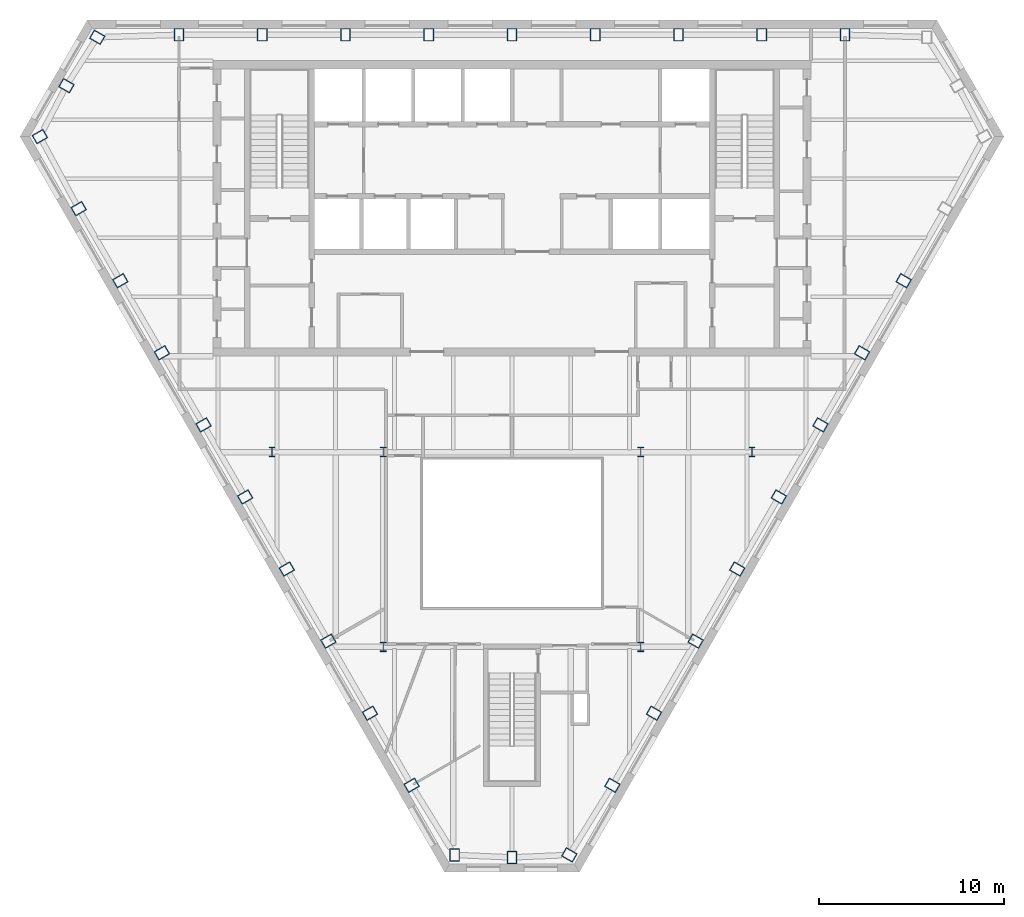
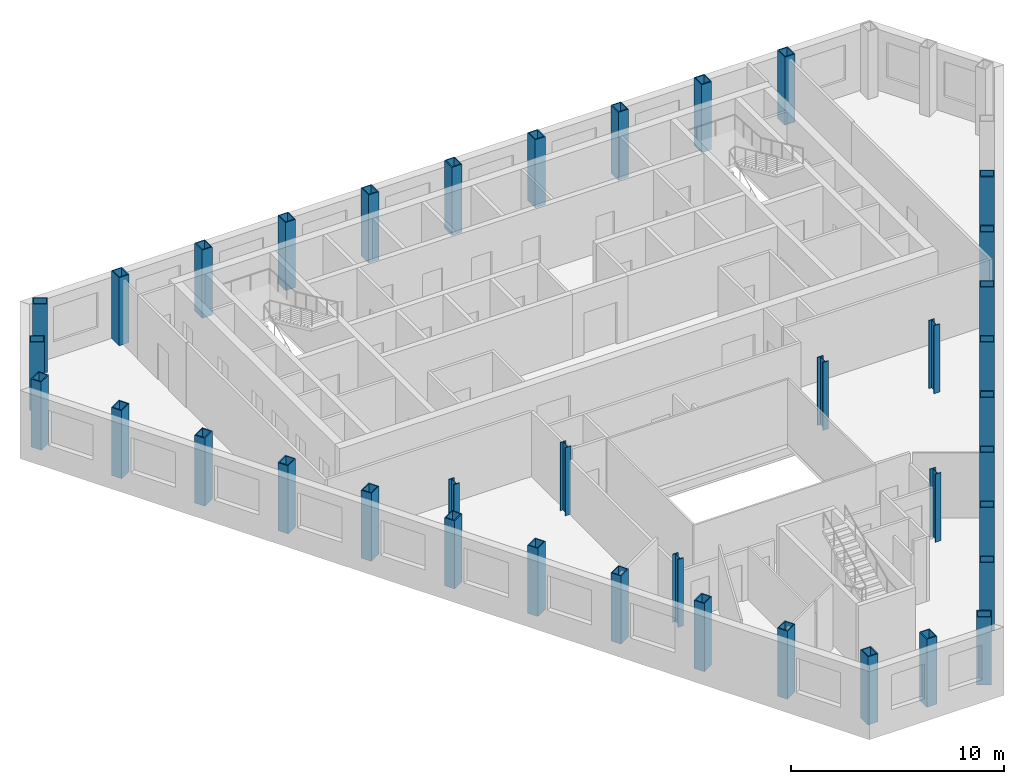
# One storey, part 1 of 11: 38 columns.
"""IFC4 building model written with IfcOpenShell, lengths in metres."""

import ifcopenshell
import ifcopenshell.guid

model = None  # the IFC model being written
_history = None  # IfcOwnerHistory: only IFC2X3 demands one
_inside = {}  # id of a spatial element -> (the spatial element, [elements in it])
_under = {}  # id of a project, library or spatial element -> (it, [spatial elements below it])
_declared = {}  # id of a project -> (the project, [libraries it declares])
_typed = {}  # id of a type object -> (the type object, [elements of that type])
_made_of = {}  # id of a material, layer set ... -> (it, [elements and type objects made of it])


def new_model(schema):
    """Start an empty IFC model of exactly this schema.

    Asked for "IFC4X3", IfcOpenShell would pick the latest addendum, in which some entities
    have other attributes; the version numbers below select the first issue.
    IFC2X3 requires an IfcOwnerHistory on every rooted entity: one is made here for all.
    """
    global model, _history
    if schema == "IFC4X3":
        model = ifcopenshell.file(schema_version=(4, 3, 0, 0))
    else:
        model = ifcopenshell.file(schema=schema)
    _inside.clear()
    _under.clear()
    _declared.clear()
    _typed.clear()
    _made_of.clear()
    _history = None
    if model.schema == "IFC2X3":
        org = make("IfcOrganization", Name="unknown")
        user = make(
            "IfcPersonAndOrganization",
            ThePerson=make("IfcPerson", FamilyName="unknown"),
            TheOrganization=org,
        )
        app = make(
            "IfcApplication",
            ApplicationDeveloper=org,
            Version="unknown",
            ApplicationFullName="unknown",
            ApplicationIdentifier="unknown",
        )
        _history = make(
            "IfcOwnerHistory",
            OwningUser=user,
            OwningApplication=app,
            ChangeAction="ADDED",
            CreationDate=0,
        )
    return model


def make(cls, **values):
    """One entity of the class cls with the attributes given. An attribute that is None is left unset."""
    return model.create_entity(
        cls, **{name: value for name, value in values.items() if value is not None}
    )


def rooted(cls, **values):
    """An entity with a GlobalId (a new one), such as an element, a storey or a relation."""
    return make(cls, GlobalId=ifcopenshell.guid.new(), OwnerHistory=_history, **values)


def si_unit(unit_type, name, prefix=None):
    """IfcSIUnit, for example si_unit("LENGTHUNIT", "METRE", prefix="MILLI")."""
    return make("IfcSIUnit", UnitType=unit_type, Prefix=prefix, Name=name)


def assignment(units):
    """IfcUnitAssignment: the units of a project."""
    return None if units is None else make("IfcUnitAssignment", Units=units)


def point(xyz):
    """IfcCartesianPoint."""
    return None if xyz is None else make("IfcCartesianPoint", Coordinates=xyz)


def direction(xyz):
    """IfcDirection."""
    return None if xyz is None else make("IfcDirection", DirectionRatios=xyz)


def frame(location, z_axis=None, x_axis=None):
    """IfcAxis2Placement3D, a coordinate frame: its origin and axes. An axis left out is left unset."""
    return make(
        "IfcAxis2Placement3D",
        Location=point(location),
        Axis=direction(z_axis),
        RefDirection=direction(x_axis),
    )


def frame_2d(location, x_axis=None):
    """IfcAxis2Placement2D, a coordinate frame in the plane: its origin and x axis."""
    return make(
        "IfcAxis2Placement2D", Location=point(location), RefDirection=direction(x_axis)
    )


def origin():
    """The frame at (0, 0, 0) with its axes left unset."""
    return frame((0.0, 0.0, 0.0))


def origin_2d():
    """The frame at (0, 0) in the plane with its x axis left unset."""
    return frame_2d((0.0, 0.0))


def place(relative_to, where):
    """IfcLocalPlacement: puts the frame where relative to a parent placement (None: the world)."""
    return make(
        "IfcLocalPlacement", PlacementRelTo=relative_to, RelativePlacement=where
    )


def context(
    kind, dimensions, precision=None, world=None, true_north=None, identifier=None
):
    """IfcGeometricRepresentationContext, for example the 3D "Model" context."""
    return make(
        "IfcGeometricRepresentationContext",
        ContextIdentifier=identifier,
        ContextType=kind,
        CoordinateSpaceDimension=dimensions,
        Precision=precision,
        WorldCoordinateSystem=world,
        TrueNorth=true_north,
    )


def subcontext(parent, identifier, kind, view, scale=None):
    """IfcGeometricRepresentationSubContext, for example "Body" below "Model"."""
    return make(
        "IfcGeometricRepresentationSubContext",
        ContextIdentifier=identifier,
        ContextType=kind,
        ParentContext=parent,
        TargetScale=scale,
        TargetView=view,
    )


def project(units=None, contexts=None):
    """IfcProject with its units and contexts."""
    return rooted(
        "IfcProject",
        Name="project",
        RepresentationContexts=contexts,
        UnitsInContext=assignment(units),
    )


def spatial(cls, under=None, at=None, **own):
    """A site, building, storey or space (cls), placed at a placement, below another one or the project."""
    s = rooted(cls, ObjectPlacement=at, **own)
    if under is not None:
        _under.setdefault(under.id(), (under, []))[1].append(s)
    return s


def profile(cls, at=None, kind="AREA", **sizes):
    """A parametric profile (cls). Its sizes go by their IFC names, for example OverallWidth=200.0."""
    return make(cls, ProfileType=kind, Position=at, **sizes)


def hollow_rectangle(**sizes):
    """IfcRectangleHollowProfileDef."""
    return profile("IfcRectangleHollowProfileDef", **sizes)


def i_section(**sizes):
    """IfcIShapeProfileDef."""
    return profile("IfcIShapeProfileDef", **sizes)


def extrude(swept, where, along, depth):
    """IfcExtrudedAreaSolid: the profile swept, set in the frame where, extruded along a direction by depth."""
    return make(
        "IfcExtrudedAreaSolid",
        SweptArea=swept,
        Position=where,
        ExtrudedDirection=direction(along),
        Depth=depth,
    )


def shape(context_of_items, identifier, shape_type, items):
    """IfcShapeRepresentation: the items that make up one representation, for example the "Body"."""
    return make(
        "IfcShapeRepresentation",
        ContextOfItems=context_of_items,
        RepresentationIdentifier=identifier,
        RepresentationType=shape_type,
        Items=items,
    )


def material(Name=None, Category=None):
    """IfcMaterial."""
    return make("IfcMaterial", Name=Name, Category=Category)


def material_profile(
    of_material, cross_section, Name=None, Category=None, Priority=None
):
    """IfcMaterialProfile: a cross section and its material."""
    return make(
        "IfcMaterialProfile",
        Name=Name,
        Material=of_material,
        Profile=cross_section,
        Priority=Priority,
        Category=Category,
    )


def profile_set(profiles, Name=None, composite=None):
    """IfcMaterialProfileSet."""
    return make(
        "IfcMaterialProfileSet",
        Name=Name,
        MaterialProfiles=profiles,
        CompositeProfile=composite,
    )


def made_of(thing, what):
    """Note that an element or type object is made of a material, layer set ...; save() writes the relation."""
    if what is not None:
        _made_of.setdefault(what.id(), (what, []))[1].append(thing)
    return thing


def type_object(cls, material=None, **own):
    """A type object (cls), such as IfcWallType, which elements share."""
    return made_of(rooted(cls, **own), material)


def element(
    cls,
    number,
    at=None,
    inside=None,
    cuts=None,
    type_object=None,
    material=None,
    context=None,
    identifier="Body",
    shape_type=None,
    held_by="IfcProductDefinitionShape",
    body=None,
    shapes=None,
    **own,
):
    """One element of the class cls, such as IfcWall. Its Tag is "e" and its number.

    at: its placement. inside: the storey or other place that contains it. cuts: it is an
    opening in that element (IfcRelVoidsElement). A single representation is given by context,
    identifier, shape_type and body (its items); several are given by shapes. held_by: the class
    of the entity that holds the representations. save() writes the other relations.
    """
    e = rooted(cls, Tag="e%d" % number, ObjectPlacement=at, **own)
    if body is not None:
        shapes = [shape(context, identifier, shape_type, body)]
    if shapes is not None:
        e.Representation = make(held_by, Representations=shapes)
    if inside is not None:
        _inside.setdefault(inside.id(), (inside, []))[1].append(e)
    if cuts is not None:
        rooted(
            "IfcRelVoidsElement", RelatingBuildingElement=cuts, RelatedOpeningElement=e
        )
    if type_object is not None:
        _typed.setdefault(type_object.id(), (type_object, []))[1].append(e)
    return made_of(e, material)


def aggregate(whole, parts):
    """IfcRelAggregates: a whole, such as a stair, and the parts it consists of."""
    return rooted("IfcRelAggregates", RelatingObject=whole, RelatedObjects=parts)


def save(model, path):
    """Write the relations noted so far, then the file.

    IfcRelAggregates (storeys below a building ...), IfcRelContainedInSpatialStructure (elements
    in a storey), IfcRelDefinesByType, IfcRelAssociatesMaterial and IfcRelDeclares: one each for
    every whole, place, type object, material and project.
    """
    for whole, parts in _under.values():
        aggregate(whole, parts)
    for where, things in _inside.values():
        rooted(
            "IfcRelContainedInSpatialStructure",
            RelatedElements=things,
            RelatingStructure=where,
        )
    for kind, things in _typed.values():
        rooted("IfcRelDefinesByType", RelatedObjects=things, RelatingType=kind)
    for what, things in _made_of.values():
        rooted("IfcRelAssociatesMaterial", RelatedObjects=things, RelatingMaterial=what)
    for by, libraries in _declared.values():
        rooted("IfcRelDeclares", RelatingContext=by, RelatedDefinitions=libraries)
    model.write(path)


model = new_model("IFC4")

# Units and contexts
model_context = context("Model", 3, precision=1e-05, world=origin(), true_north=direction((0.0, 1.0)))
body_context = subcontext(model_context, "Body", "Model", "MODEL_VIEW")
ifc_project = project(units=[si_unit("LENGTHUNIT", "METRE"), si_unit("AREAUNIT", "SQUARE_METRE"), si_unit("VOLUMEUNIT", "CUBIC_METRE"), si_unit("PLANEANGLEUNIT", "RADIAN"), si_unit("MASSUNIT", "GRAM", prefix="KILO")], contexts=[model_context])

# Site, building, storey
site_placement = place(None, origin())
site = spatial("IfcSite", under=ifc_project, at=site_placement, CompositionType="ELEMENT")
building_placement = place(site_placement, origin())
building = spatial("IfcBuilding", under=site, at=building_placement, Name="Njiva Tower", CompositionType="ELEMENT")
storey_placement = place(building_placement, frame((0.0, 0.0, 208.2)))
storey = spatial("IfcBuildingStorey", under=building, at=storey_placement, Name="L46", CompositionType="ELEMENT", Elevation=208.2)

# Columns
ifc_material = material(Name="Steel S355 J2", Category="steel")
ifc_material_profile_1 = material_profile(ifc_material, hollow_rectangle(XDim=0.55, YDim=0.7, WallThickness=0.05, at=origin_2d()), Name="BOX 700x550x50")
ifc_profile_set_1 = profile_set([ifc_material_profile_1], Name="Steel S355 J2")
column_type_1 = type_object("IfcColumnType", Name="C11 Perimeter tube column BOX 700x550x50", PredefinedType="COLUMN", material=ifc_profile_set_1)
for number, where, z_axis, x_axis, name in (
    (1, (18.03, 19.4, 0.0), (0.0, 0.0, 1.0), (-1.0, 0.0, 0.0), "Perimeter tube column S15-C02"),
    (2, (13.523, 19.4, 0.0), (0.0, 0.0, 1.0), (-1.0, 0.0, 0.0), "Perimeter tube column S15-C03"),
    (3, (9.015, 19.4, 0.0), (0.0, 0.0, 1.0), (-1.0, 0.0, 0.0), "Perimeter tube column S15-C04"),
    (4, (4.508, 19.4, 0.0), (0.0, 0.0, 1.0), (-1.0, 0.0, 0.0), "Perimeter tube column S15-C05"),
    (5, (0.0, 19.4, 0.0), (0.0, 0.0, 1.0), (-1.0, 0.0, 0.0), "Perimeter tube column S15-C06"),
    (6, (-4.508, 19.4, 0.0), (0.0, 0.0, 1.0), (-1.0, 0.0, 0.0), "Perimeter tube column S15-C07"),
    (7, (-9.015, 19.4, 0.0), (0.0, 0.0, 1.0), (-1.0, 0.0, 0.0), "Perimeter tube column S15-C08"),
    (8, (-13.523, 19.4, 0.0), (0.0, 0.0, 1.0), (-1.0, 0.0, 0.0), "Perimeter tube column S15-C09"),
    (9, (-18.03, 19.4, 0.0), (0.0, 0.0, 1.0), (-1.0, 0.0, 0.0), "Perimeter tube column S15-C10"),
    (10, (-22.461, 19.267, 0.0), (0.0, 0.0, 1.0), (-0.5, -0.866025403784, 0.0), "Perimeter tube column S15-C11"),
    (11, (-24.13, 16.643, 0.0), (0.0, 0.0, 1.0), (-0.5, -0.866025403784, 0.0), "Perimeter tube column S15-C12"),
    (12, (-25.568, 13.887, 0.0), (0.0, 0.0, 1.0), (0.5, -0.866025403784, 0.0), "Perimeter tube column S15-C13"),
    (13, (-23.467, 9.983, 0.0), (0.0, 0.0, 1.0), (0.5, -0.866025403784, 0.0), "Perimeter tube column S15-C14"),
    (14, (-21.214, 6.079, 0.0), (0.0, 0.0, 1.0), (0.5, -0.866025403784, 0.0), "Perimeter tube column S15-C15"),
    (15, (-18.96, 2.176, 0.0), (0.0, 0.0, 1.0), (0.5, -0.866025403784, 0.0), "Perimeter tube column S15-C16"),
    (16, (-16.706, -1.728, 0.0), (0.0, 0.0, 1.0), (0.5, -0.866025403784, 0.0), "Perimeter tube column S15-C17"),
    (17, (-14.452, -5.632, 0.0), (0.0, 0.0, 1.0), (0.5, -0.866025403784, 0.0), "Perimeter tube column S15-C18"),
    (18, (-12.198, -9.536, 0.0), (0.0, 0.0, 1.0), (0.5, -0.866025403784, 0.0), "Perimeter tube column S15-C19"),
    (19, (-9.945, -13.439, 0.0), (0.0, 0.0, 1.0), (0.5, -0.866025403784, 0.0), "Perimeter tube column S15-C20"),
    (20, (-7.691, -17.343, 0.0), (0.0, 0.0, 1.0), (0.5, -0.866025403784, 0.0), "Perimeter tube column S15-C21"),
    (21, (-5.437, -21.247, 0.0), (0.0, 0.0, 1.0), (0.5, -0.866025403784, 0.0), "Perimeter tube column S15-C22"),
    (22, (-3.106, -25.017, 0.0), (0.0, 0.0, 1.0), (1.0, 0.0, 0.0), "Perimeter tube column S15-C23"),
    (23, (0.0, -25.15, 0.0), (0.0, 0.0, 1.0), (1.0, 0.0, 0.0), "Perimeter tube column S15-C24"),
    (24, (3.106, -25.017, 0.0), (0.0, 0.0, 1.0), (0.5, 0.866025403784, 0.0), "Perimeter tube column S15-C25"),
    (25, (5.437, -21.247, 0.0), (0.0, 0.0, 1.0), (0.5, 0.866025403784, 0.0), "Perimeter tube column S15-C26"),
    (26, (7.691, -17.343, 0.0), (0.0, 0.0, 1.0), (0.5, 0.866025403784, 0.0), "Perimeter tube column S15-C27"),
    (27, (9.945, -13.439, 0.0), (0.0, 0.0, 1.0), (0.5, 0.866025403784, 0.0), "Perimeter tube column S15-C28"),
    (28, (12.198, -9.536, 0.0), (0.0, 0.0, 1.0), (0.5, 0.866025403784, 0.0), "Perimeter tube column S15-C29"),
    (29, (14.452, -5.632, 0.0), (0.0, 0.0, 1.0), (0.5, 0.866025403784, 0.0), "Perimeter tube column S15-C30"),
    (30, (16.706, -1.728, 0.0), (0.0, 0.0, 1.0), (0.5, 0.866025403784, 0.0), "Perimeter tube column S15-C31"),
    (31, (18.96, 2.176, 0.0), (0.0, 0.0, 1.0), (0.5, 0.866025403784, 0.0), "Perimeter tube column S15-C32"),
    (32, (21.214, 6.079, 0.0), (0.0, 0.0, 1.0), (0.5, 0.866025403784, 0.0), "Perimeter tube column S15-C33"),
):
    element("IfcColumn", number, at=place(storey_placement, frame(where, z_axis=z_axis, x_axis=x_axis)), inside=storey, type_object=column_type_1, Name=name, PredefinedType="COLUMN", context=body_context, shape_type="SweptSolid", body=[
        extrude(hollow_rectangle(XDim=0.55, YDim=0.7, WallThickness=0.05, at=origin_2d()), origin(), (0.0, 0.0, 1.0), 3.9),
    ])
ifc_material_profile_2 = material_profile(ifc_material, i_section(OverallWidth=0.306, OverallDepth=0.524, WebThickness=0.021, FlangeThickness=0.04, at=origin_2d()), Name="HEM 500")
ifc_profile_set_2 = profile_set([ifc_material_profile_2], Name="Steel S355 J2")
column_type_2 = type_object("IfcColumnType", Name="C12 Interior column HEM 500", PredefinedType="COLUMN", material=ifc_profile_set_2)
for number, where, z_axis, x_axis, name in (
    (33, (6.97, -3.2, 0.0), (0.0, 0.0, 1.0), (1.0, 0.0, 0.0), "Interior column S15-C37"),
    (34, (-6.97, -3.2, 0.0), (0.0, 0.0, 1.0), (1.0, 0.0, 0.0), "Interior column S15-C38"),
    (35, (6.97, -13.75, 0.0), (0.0, 0.0, 1.0), (1.0, 0.0, 0.0), "Interior column S15-C39"),
    (36, (-6.97, -13.75, 0.0), (0.0, 0.0, 1.0), (1.0, 0.0, 0.0), "Interior column S15-C40"),
    (37, (13.0, -3.2, 0.0), (0.0, 0.0, 1.0), (1.0, 0.0, 0.0), "Interior column S15-C41"),
    (38, (-13.0, -3.2, 0.0), (0.0, 0.0, 1.0), (1.0, 0.0, 0.0), "Interior column S15-C42"),
):
    element("IfcColumn", number, at=place(storey_placement, frame(where, z_axis=z_axis, x_axis=x_axis)), inside=storey, type_object=column_type_2, Name=name, PredefinedType="COLUMN", context=body_context, shape_type="SweptSolid", body=[
        extrude(i_section(OverallWidth=0.306, OverallDepth=0.524, WebThickness=0.021, FlangeThickness=0.04, at=origin_2d()), origin(), (0.0, 0.0, 1.0), 3.9),
    ])

save(model, "model.ifc")
